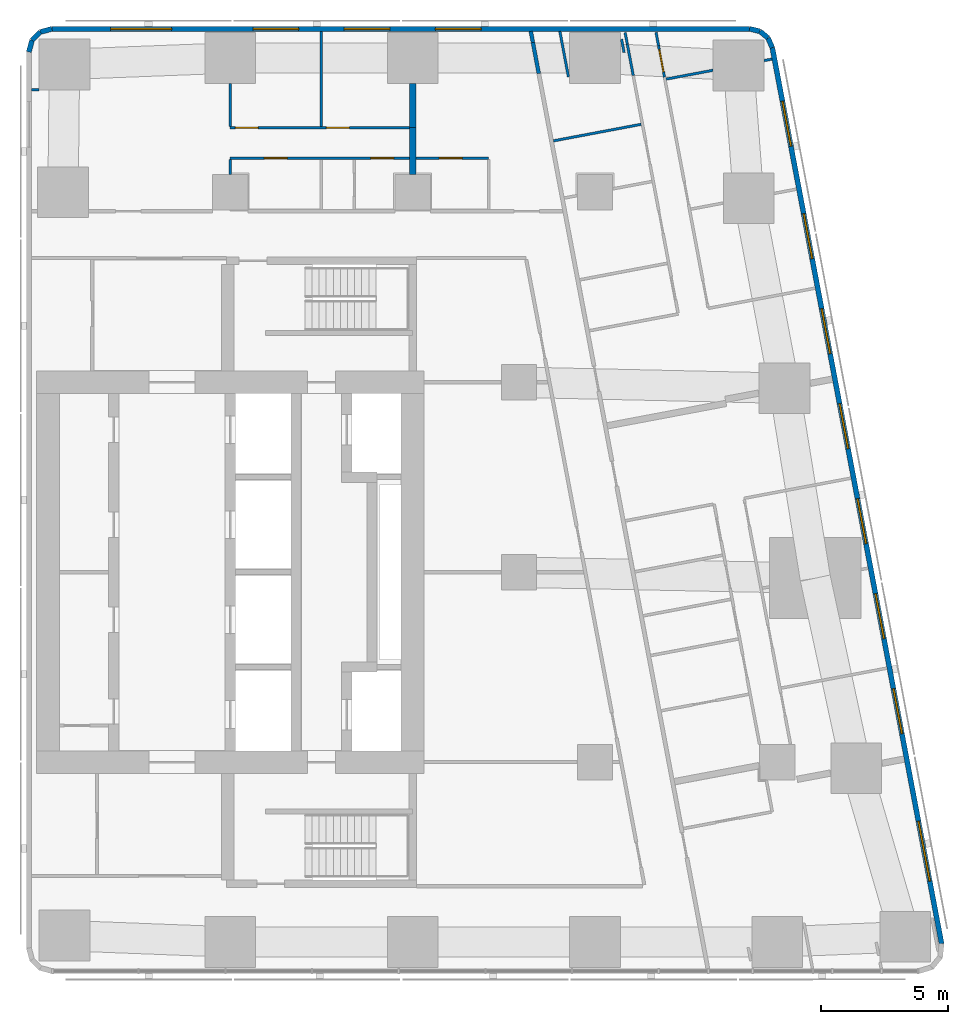
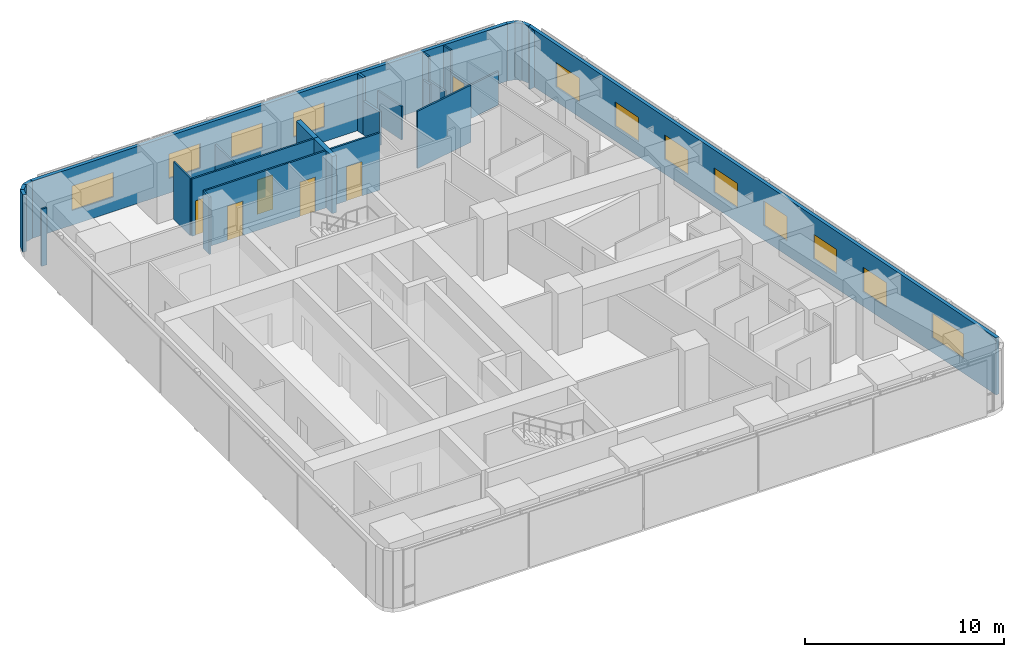
# One storey, part 8 of 11: 28 walls, 12 windows, 6 doors, 18 openings.
"""IFC4 building model written with IfcOpenShell, lengths in metres."""

from ifc_helpers import new_model, si_unit, direction, frame, frame_2d, origin, place, context, subcontext, project, spatial, rectangle, extrude, material, layer, layer_set, type_object, element, fill, save


model = new_model("IFC4")

# Units and contexts
model_context = context("Model", 3, precision=1e-05, world=origin(), true_north=direction((0.0, 1.0)))
body_context = subcontext(model_context, "Body", "Model", "MODEL_VIEW")
ifc_project = project(units=[si_unit("LENGTHUNIT", "METRE"), si_unit("AREAUNIT", "SQUARE_METRE"), si_unit("VOLUMEUNIT", "CUBIC_METRE"), si_unit("PLANEANGLEUNIT", "RADIAN"), si_unit("MASSUNIT", "GRAM", prefix="KILO")], contexts=[model_context])

# Site, building, storey
site_placement = place(None, origin())
site = spatial("IfcSite", under=ifc_project, at=site_placement, CompositionType="ELEMENT")
building_placement = place(site_placement, origin())
building = spatial("IfcBuilding", under=site, at=building_placement, Name="Sheger Commons Tower", CompositionType="ELEMENT")
storey_placement = place(building_placement, frame((0.0, 0.0, 277.85009765625)))
storey = spatial("IfcBuildingStorey", under=building, at=storey_placement, Name="L71", CompositionType="ELEMENT", Elevation=277.85009765625)

# Walls
ifc_material_1 = material(Name="Hollow concrete block masonry, skimmed both sides", Category="masonry")
ifc_layer_1 = layer(ifc_material_1, 0.14990234375)
ifc_layer_set_1 = layer_set([ifc_layer_1], Name="CORRIDOR WALL 150")
wall_type_1 = type_object("IfcWallType", Name="CORRIDOR WALL 150", PredefinedType="SOLIDWALL", material=ifc_layer_set_1)
wall_1_placement = place(storey_placement, frame((33.467041015625, 43.85009765625, 0.0), z_axis=(0.0, 0.0, 1.0), x_axis=(0.184886516626, -0.982759877066, 0.0)))
element("IfcWall", 1, at=wall_1_placement, inside=storey, type_object=wall_type_1, Name="Corridor wall L71", PredefinedType="SOLIDWALL", context=body_context, shape_type="SweptSolid", body=[
    extrude(rectangle(XDim=0.443603515625, YDim=0.14990234375, at=frame_2d((0.2216796875, 0.0))), origin(), (0.0, 0.0, 1.0), 3.5),
])
wall_2_placement = place(storey_placement, frame((33.549072265625, 43.4140625, 0.0), z_axis=(0.0, 0.0, 1.0), x_axis=(0.185585816539, -0.982628060204, 0.0)))
element("IfcWall", 2, at=wall_2_placement, inside=storey, type_object=wall_type_1, Name="Corridor wall L71", PredefinedType="SOLIDWALL", context=body_context, shape_type="SweptSolid", body=[
    extrude(rectangle(XDim=1.249755859375, YDim=0.14990234375, at=frame_2d((0.625, 0.0))), origin(), (0.0, 0.0, 1.0), 2.0498046875),
])
ifc_material_2 = material(Name="Dense concrete block masonry, plastered both sides (separating wall between flats)", Category="masonry")
ifc_layer_2 = layer(ifc_material_2, 0.25)
ifc_layer_set_2 = layer_set([ifc_layer_2], Name="DEMISING WALL 250")
wall_type_2 = type_object("IfcWallType", Name="DEMISING WALL 250", PredefinedType="SOLIDWALL", material=ifc_layer_set_2)
wall_3_placement = place(storey_placement, frame((28.800048828125, 40.050048828125, 0.0), z_axis=(0.0, 0.0, 1.0), x_axis=(0.0, 1.0, 0.0)))
element("IfcWall", 3, at=wall_3_placement, inside=storey, type_object=wall_type_2, Name="Demising wall L71", PredefinedType="SOLIDWALL", context=body_context, shape_type="SweptSolid", body=[
    extrude(rectangle(XDim=1.7490234375, YDim=0.25, at=frame_2d((0.87451171875, 0.0))), origin(), (0.0, 0.0, 1.0), 3.5),
])
wall_4_placement = place(storey_placement, frame((28.800048828125, 38.200927734375, 0.0), z_axis=(0.0, 0.0, 1.0), x_axis=(0.0, 1.0, 0.0)))
element("IfcWall", 4, at=wall_4_placement, inside=storey, type_object=wall_type_2, Name="Demising wall L71", PredefinedType="SOLIDWALL", context=body_context, shape_type="SweptSolid", body=[
    extrude(rectangle(XDim=1.84912109375, YDim=0.25, at=frame_2d((0.924560546875, 0.0))), origin(), (0.0, 0.0, 1.0), 3.5),
])

# Wall, openings, windows
ifc_material_3 = material(Name="Rendered concrete block masonry, dark grey", Category="masonry")
ifc_layer_3 = layer(ifc_material_3, 0.199951171875)
ifc_layer_set_3 = layer_set([ifc_layer_3], Name="FACADE WALL 200")
wall_type_3 = type_object("IfcWallType", Name="FACADE WALL 200", PredefinedType="SOLIDWALL", material=ifc_layer_set_3)
wall_5_placement = place(storey_placement, frame((49.68408203125, 7.83203125, 0.0), z_axis=(0.0, 0.0, 1.0), x_axis=(-0.185616669694, 0.982622232565, 0.0)))
wall_5 = element("IfcWall", 5, at=wall_5_placement, inside=storey, type_object=wall_type_3, Name="Facade wall L71", PredefinedType="SOLIDWALL", context=body_context, shape_type="SweptSolid", body=[
    extrude(rectangle(XDim=35.99951171875, YDim=0.199951171875, at=frame_2d((17.999755859375, 0.0))), origin(), (0.0, 0.0, 1.0), 3.5),
])
opening_1_placement = place(wall_5_placement, frame((2.51806640625, 0.0, 0.89990234375)))
opening_1 = element("IfcOpeningElement", 6, at=opening_1_placement, cuts=wall_5, Name="Opening W1", PredefinedType="OPENING", context=body_context, shape_type="SweptSolid", body=[
    extrude(rectangle(XDim=2.39990234375, YDim=1.5, at=frame_2d((1.199951171875, 0.75))), frame((0.0, 0.10986328125, 0.0), z_axis=(0.0, -1.0, 0.0), x_axis=(1.0, 0.0, 0.0)), (0.0, 0.0, 1.0), 0.219970703125),
])
opening_2_placement = place(wall_5_placement, frame((8.444091796875, 0.0, 0.89990234375)))
opening_2 = element("IfcOpeningElement", 7, at=opening_2_placement, cuts=wall_5, Name="Opening W2", PredefinedType="OPENING", context=body_context, shape_type="SweptSolid", body=[
    extrude(rectangle(XDim=1.800048828125, YDim=1.5, at=frame_2d((0.89990234375, 0.75))), frame((0.0, 0.10986328125, 0.0), z_axis=(0.0, -1.0, 0.0), x_axis=(1.0, 0.0, 0.0)), (0.0, 0.0, 1.0), 0.219970703125),
])
opening_3_placement = place(wall_5_placement, frame((12.260986328125, 0.0, 0.89990234375)))
opening_3 = element("IfcOpeningElement", 8, at=opening_3_placement, cuts=wall_5, Name="Opening W2", PredefinedType="OPENING", context=body_context, shape_type="SweptSolid", body=[
    extrude(rectangle(XDim=1.800048828125, YDim=1.5, at=frame_2d((0.89990234375, 0.75))), frame((0.0, 0.10986328125, 0.0), z_axis=(0.0, -1.0, 0.0), x_axis=(1.0, 0.0, 0.0)), (0.0, 0.0, 1.0), 0.219970703125),
])
opening_4_placement = place(wall_5_placement, frame((16.077880859375, 0.0, 0.89990234375)))
opening_4 = element("IfcOpeningElement", 9, at=opening_4_placement, cuts=wall_5, Name="Opening W2", PredefinedType="OPENING", context=body_context, shape_type="SweptSolid", body=[
    extrude(rectangle(XDim=1.800048828125, YDim=1.5, at=frame_2d((0.89990234375, 0.75))), frame((0.0, 0.10986328125, 0.0), z_axis=(0.0, -1.0, 0.0), x_axis=(1.0, 0.0, 0.0)), (0.0, 0.0, 1.0), 0.219970703125),
])
opening_5_placement = place(wall_5_placement, frame((19.89404296875, 0.0, 0.89990234375)))
opening_5 = element("IfcOpeningElement", 10, at=opening_5_placement, cuts=wall_5, Name="Opening W2", PredefinedType="OPENING", context=body_context, shape_type="SweptSolid", body=[
    extrude(rectangle(XDim=1.800048828125, YDim=1.5, at=frame_2d((0.89990234375, 0.75))), frame((0.0, 0.10986328125, 0.0), z_axis=(0.0, -1.0, 0.0), x_axis=(1.0, 0.0, 0.0)), (0.0, 0.0, 1.0), 0.219970703125),
])
opening_6_placement = place(wall_5_placement, frame((23.7099609375, 0.0, 0.89990234375)))
opening_6 = element("IfcOpeningElement", 11, at=opening_6_placement, cuts=wall_5, Name="Opening W2", PredefinedType="OPENING", context=body_context, shape_type="SweptSolid", body=[
    extrude(rectangle(XDim=1.800048828125, YDim=1.5, at=frame_2d((0.89990234375, 0.75))), frame((0.0, 0.10986328125, 0.0), z_axis=(0.0, -1.0, 0.0), x_axis=(1.0, 0.0, 0.0)), (0.0, 0.0, 1.0), 0.219970703125),
])
opening_7_placement = place(wall_5_placement, frame((27.52587890625, 0.0, 0.89990234375)))
opening_7 = element("IfcOpeningElement", 12, at=opening_7_placement, cuts=wall_5, Name="Opening W2", PredefinedType="OPENING", context=body_context, shape_type="SweptSolid", body=[
    extrude(rectangle(XDim=1.800048828125, YDim=1.5, at=frame_2d((0.89990234375, 0.75))), frame((0.0, 0.10986328125, 0.0), z_axis=(0.0, -1.0, 0.0), x_axis=(1.0, 0.0, 0.0)), (0.0, 0.0, 1.0), 0.219970703125),
])
opening_8_placement = place(wall_5_placement, frame((32.0458984375, 0.0, 0.89990234375)))
opening_8 = element("IfcOpeningElement", 13, at=opening_8_placement, cuts=wall_5, Name="Opening W2", PredefinedType="OPENING", context=body_context, shape_type="SweptSolid", body=[
    extrude(rectangle(XDim=1.800048828125, YDim=1.5, at=frame_2d((0.89990234375, 0.75))), frame((0.0, 0.10986328125, 0.0), z_axis=(0.0, -1.0, 0.0), x_axis=(1.0, 0.0, 0.0)), (0.0, 0.0, 1.0), 0.219970703125),
])
ifc_material_4 = material(Name="Black aluminium frame, dark tinted double glazing", Category="aluminium")
window_type_1 = type_object("IfcWindowType", Name="WINDOW W1 2400x1500", PartitioningType="SINGLE_PANEL", PredefinedType="WINDOW", material=ifc_material_4)
window_1_placement = place(opening_1_placement, origin())
window_1 = element("IfcWindow", 14, at=window_1_placement, inside=storey, type_object=window_type_1, Name="Window W1 2400X1500", OverallHeight=1.5, OverallWidth=2.39990234375, PartitioningType="SINGLE_PANEL", PredefinedType="WINDOW", context=body_context, shape_type="SweptSolid", body=[
    extrude(rectangle(XDim=2.39990234375, YDim=1.5, at=frame_2d((1.199951171875, 0.75))), frame((0.0, 0.030029296875, 0.0), z_axis=(0.0, -1.0, 0.0), x_axis=(1.0, 0.0, 0.0)), (0.0, 0.0, 1.0), 0.06005859375),
])
fill(opening_1, window_1)
ifc_material_5 = material(Name="Black aluminium frame, dark tinted double glazing", Category="aluminium")
window_type_2 = type_object("IfcWindowType", Name="WINDOW W2 1800x1500", PartitioningType="SINGLE_PANEL", PredefinedType="WINDOW", material=ifc_material_5)
window_2_placement = place(opening_2_placement, origin())
window_2 = element("IfcWindow", 15, at=window_2_placement, inside=storey, type_object=window_type_2, Name="Window W2 1800X1500", OverallHeight=1.5, OverallWidth=1.800048828125, PartitioningType="SINGLE_PANEL", PredefinedType="WINDOW", context=body_context, shape_type="SweptSolid", body=[
    extrude(rectangle(XDim=1.800048828125, YDim=1.5, at=frame_2d((0.89990234375, 0.75))), frame((0.0, 0.030029296875, 0.0), z_axis=(0.0, -1.0, 0.0), x_axis=(1.0, 0.0, 0.0)), (0.0, 0.0, 1.0), 0.06005859375),
])
fill(opening_2, window_2)
window_3_placement = place(opening_3_placement, origin())
window_3 = element("IfcWindow", 16, at=window_3_placement, inside=storey, type_object=window_type_2, Name="Window W2 1800X1500", OverallHeight=1.5, OverallWidth=1.800048828125, PartitioningType="SINGLE_PANEL", PredefinedType="WINDOW", context=body_context, shape_type="SweptSolid", body=[
    extrude(rectangle(XDim=1.800048828125, YDim=1.5, at=frame_2d((0.89990234375, 0.75))), frame((0.0, 0.030029296875, 0.0), z_axis=(0.0, -1.0, 0.0), x_axis=(1.0, 0.0, 0.0)), (0.0, 0.0, 1.0), 0.06005859375),
])
fill(opening_3, window_3)
window_4_placement = place(opening_4_placement, origin())
window_4 = element("IfcWindow", 17, at=window_4_placement, inside=storey, type_object=window_type_2, Name="Window W2 1800X1500", OverallHeight=1.5, OverallWidth=1.800048828125, PartitioningType="SINGLE_PANEL", PredefinedType="WINDOW", context=body_context, shape_type="SweptSolid", body=[
    extrude(rectangle(XDim=1.800048828125, YDim=1.5, at=frame_2d((0.89990234375, 0.75))), frame((0.0, 0.030029296875, 0.0), z_axis=(0.0, -1.0, 0.0), x_axis=(1.0, 0.0, 0.0)), (0.0, 0.0, 1.0), 0.06005859375),
])
fill(opening_4, window_4)
window_5_placement = place(opening_5_placement, origin())
window_5 = element("IfcWindow", 18, at=window_5_placement, inside=storey, type_object=window_type_2, Name="Window W2 1800X1500", OverallHeight=1.5, OverallWidth=1.800048828125, PartitioningType="SINGLE_PANEL", PredefinedType="WINDOW", context=body_context, shape_type="SweptSolid", body=[
    extrude(rectangle(XDim=1.800048828125, YDim=1.5, at=frame_2d((0.89990234375, 0.75))), frame((0.0, 0.030029296875, 0.0), z_axis=(0.0, -1.0, 0.0), x_axis=(1.0, 0.0, 0.0)), (0.0, 0.0, 1.0), 0.06005859375),
])
fill(opening_5, window_5)
window_6_placement = place(opening_6_placement, origin())
window_6 = element("IfcWindow", 19, at=window_6_placement, inside=storey, type_object=window_type_2, Name="Window W2 1800X1500", OverallHeight=1.5, OverallWidth=1.800048828125, PartitioningType="SINGLE_PANEL", PredefinedType="WINDOW", context=body_context, shape_type="SweptSolid", body=[
    extrude(rectangle(XDim=1.800048828125, YDim=1.5, at=frame_2d((0.89990234375, 0.75))), frame((0.0, 0.030029296875, 0.0), z_axis=(0.0, -1.0, 0.0), x_axis=(1.0, 0.0, 0.0)), (0.0, 0.0, 1.0), 0.06005859375),
])
fill(opening_6, window_6)
window_7_placement = place(opening_7_placement, origin())
window_7 = element("IfcWindow", 20, at=window_7_placement, inside=storey, type_object=window_type_2, Name="Window W2 1800X1500", OverallHeight=1.5, OverallWidth=1.800048828125, PartitioningType="SINGLE_PANEL", PredefinedType="WINDOW", context=body_context, shape_type="SweptSolid", body=[
    extrude(rectangle(XDim=1.800048828125, YDim=1.5, at=frame_2d((0.89990234375, 0.75))), frame((0.0, 0.030029296875, 0.0), z_axis=(0.0, -1.0, 0.0), x_axis=(1.0, 0.0, 0.0)), (0.0, 0.0, 1.0), 0.06005859375),
])
fill(opening_7, window_7)
window_8_placement = place(opening_8_placement, origin())
window_8 = element("IfcWindow", 21, at=window_8_placement, inside=storey, type_object=window_type_2, Name="Window W2 1800X1500", OverallHeight=1.5, OverallWidth=1.800048828125, PartitioningType="SINGLE_PANEL", PredefinedType="WINDOW", context=body_context, shape_type="SweptSolid", body=[
    extrude(rectangle(XDim=1.800048828125, YDim=1.5, at=frame_2d((0.89990234375, 0.75))), frame((0.0, 0.030029296875, 0.0), z_axis=(0.0, -1.0, 0.0), x_axis=(1.0, 0.0, 0.0)), (0.0, 0.0, 1.0), 0.06005859375),
])
fill(opening_8, window_8)

# Walls
wall_6_placement = place(storey_placement, frame((43.001953125, 43.2060546875, 0.0), z_axis=(0.0, 0.0, 1.0), x_axis=(-0.40678170573, 0.913525393124, 0.0)))
element("IfcWall", 22, at=wall_6_placement, inside=storey, type_object=wall_type_3, Name="Facade wall L71", PredefinedType="SOLIDWALL", context=body_context, shape_type="SweptSolid", body=[
    extrude(rectangle(XDim=0.422607421875, YDim=0.199951171875, at=frame_2d((0.21142578125, 0.0))), origin(), (0.0, 0.0, 1.0), 3.5),
])
wall_7_placement = place(storey_placement, frame((42.830078125, 43.592041015625, 0.0), z_axis=(0.0, 0.0, 1.0), x_axis=(-0.771190539797, 0.636604391539, 0.0)))
element("IfcWall", 23, at=wall_7_placement, inside=storey, type_object=wall_type_3, Name="Facade wall L71", PredefinedType="SOLIDWALL", context=body_context, shape_type="SweptSolid", body=[
    extrude(rectangle(XDim=0.409912109375, YDim=0.199951171875, at=frame_2d((0.205078125, 0.0))), origin(), (0.0, 0.0, 1.0), 3.5),
])
wall_8_placement = place(storey_placement, frame((42.513916015625, 43.85302734375, 0.0), z_axis=(0.0, 0.0, 1.0), x_axis=(-0.973288080424, 0.229587265555, 0.0)))
element("IfcWall", 24, at=wall_8_placement, inside=storey, type_object=wall_type_3, Name="Facade wall L71", PredefinedType="SOLIDWALL", context=body_context, shape_type="SweptSolid", body=[
    extrude(rectangle(XDim=0.422119140625, YDim=0.199951171875, at=frame_2d((0.2109375, 0.0))), origin(), (0.0, 0.0, 1.0), 3.5),
])

# Wall, openings, windows
wall_9_placement = place(storey_placement, frame((42.10302734375, 43.949951171875, 0.0), z_axis=(0.0, 0.0, 1.0), x_axis=(-1.0, 0.0, 0.0)))
wall_9 = element("IfcWall", 25, at=wall_9_placement, inside=storey, type_object=wall_type_3, Name="Facade wall L71", PredefinedType="SOLIDWALL", context=body_context, shape_type="SweptSolid", body=[
    extrude(rectangle(XDim=27.5400390625, YDim=0.199951171875, at=frame_2d((13.77001953125, 0.0))), origin(), (0.0, 0.0, 1.0), 3.5),
])
opening_9_placement = place(wall_9_placement, frame((10.60302734375, 0.0, 0.89990234375)))
opening_9 = element("IfcOpeningElement", 26, at=opening_9_placement, cuts=wall_9, Name="Opening W2", PredefinedType="OPENING", context=body_context, shape_type="SweptSolid", body=[
    extrude(rectangle(XDim=1.800048828125, YDim=1.5, at=frame_2d((0.89990234375, 0.75))), frame((0.0, 0.10986328125, 0.0), z_axis=(0.0, -1.0, 0.0), x_axis=(1.0, 0.0, 0.0)), (0.0, 0.0, 1.0), 0.219970703125),
])
opening_10_placement = place(wall_9_placement, frame((14.202880859375, 0.0, 0.89990234375)))
opening_10 = element("IfcOpeningElement", 27, at=opening_10_placement, cuts=wall_9, Name="Opening W2", PredefinedType="OPENING", context=body_context, shape_type="SweptSolid", body=[
    extrude(rectangle(XDim=1.800048828125, YDim=1.5, at=frame_2d((0.89990234375, 0.75))), frame((0.0, 0.10986328125, 0.0), z_axis=(0.0, -1.0, 0.0), x_axis=(1.0, 0.0, 0.0)), (0.0, 0.0, 1.0), 0.219970703125),
])
opening_11_placement = place(wall_9_placement, frame((17.802978515625, 0.0, 0.89990234375)))
opening_11 = element("IfcOpeningElement", 28, at=opening_11_placement, cuts=wall_9, Name="Opening W2", PredefinedType="OPENING", context=body_context, shape_type="SweptSolid", body=[
    extrude(rectangle(XDim=1.800048828125, YDim=1.5, at=frame_2d((0.89990234375, 0.75))), frame((0.0, 0.10986328125, 0.0), z_axis=(0.0, -1.0, 0.0), x_axis=(1.0, 0.0, 0.0)), (0.0, 0.0, 1.0), 0.219970703125),
])
opening_12_placement = place(wall_9_placement, frame((22.822021484375, 0.0, 0.89990234375)))
opening_12 = element("IfcOpeningElement", 29, at=opening_12_placement, cuts=wall_9, Name="Opening W1", PredefinedType="OPENING", context=body_context, shape_type="SweptSolid", body=[
    extrude(rectangle(XDim=2.39990234375, YDim=1.5, at=frame_2d((1.199951171875, 0.75))), frame((0.0, 0.10986328125, 0.0), z_axis=(0.0, -1.0, 0.0), x_axis=(1.0, 0.0, 0.0)), (0.0, 0.0, 1.0), 0.219970703125),
])
window_9_placement = place(opening_12_placement, origin())
window_9 = element("IfcWindow", 30, at=window_9_placement, inside=storey, type_object=window_type_1, Name="Window W1 2400X1500", OverallHeight=1.5, OverallWidth=2.39990234375, PartitioningType="SINGLE_PANEL", PredefinedType="WINDOW", context=body_context, shape_type="SweptSolid", body=[
    extrude(rectangle(XDim=2.39990234375, YDim=1.5, at=frame_2d((1.199951171875, 0.75))), frame((0.0, 0.030029296875, 0.0), z_axis=(0.0, -1.0, 0.0), x_axis=(1.0, 0.0, 0.0)), (0.0, 0.0, 1.0), 0.06005859375),
])
fill(opening_12, window_9)
window_10_placement = place(opening_9_placement, origin())
window_10 = element("IfcWindow", 31, at=window_10_placement, inside=storey, type_object=window_type_2, Name="Window W2 1800X1500", OverallHeight=1.5, OverallWidth=1.800048828125, PartitioningType="SINGLE_PANEL", PredefinedType="WINDOW", context=body_context, shape_type="SweptSolid", body=[
    extrude(rectangle(XDim=1.800048828125, YDim=1.5, at=frame_2d((0.89990234375, 0.75))), frame((0.0, 0.030029296875, 0.0), z_axis=(0.0, -1.0, 0.0), x_axis=(1.0, 0.0, 0.0)), (0.0, 0.0, 1.0), 0.06005859375),
])
fill(opening_9, window_10)
window_11_placement = place(opening_10_placement, origin())
window_11 = element("IfcWindow", 32, at=window_11_placement, inside=storey, type_object=window_type_2, Name="Window W2 1800X1500", OverallHeight=1.5, OverallWidth=1.800048828125, PartitioningType="SINGLE_PANEL", PredefinedType="WINDOW", context=body_context, shape_type="SweptSolid", body=[
    extrude(rectangle(XDim=1.800048828125, YDim=1.5, at=frame_2d((0.89990234375, 0.75))), frame((0.0, 0.030029296875, 0.0), z_axis=(0.0, -1.0, 0.0), x_axis=(1.0, 0.0, 0.0)), (0.0, 0.0, 1.0), 0.06005859375),
])
fill(opening_10, window_11)
window_12_placement = place(opening_11_placement, origin())
window_12 = element("IfcWindow", 33, at=window_12_placement, inside=storey, type_object=window_type_2, Name="Window W2 1800X1500", OverallHeight=1.5, OverallWidth=1.800048828125, PartitioningType="SINGLE_PANEL", PredefinedType="WINDOW", context=body_context, shape_type="SweptSolid", body=[
    extrude(rectangle(XDim=1.800048828125, YDim=1.5, at=frame_2d((0.89990234375, 0.75))), frame((0.0, 0.030029296875, 0.0), z_axis=(0.0, -1.0, 0.0), x_axis=(1.0, 0.0, 0.0)), (0.0, 0.0, 1.0), 0.06005859375),
])
fill(opening_11, window_12)

# Walls
wall_10_placement = place(storey_placement, frame((14.56298828125, 43.949951171875, 0.0), z_axis=(0.0, 0.0, 1.0), x_axis=(-0.965655254015, -0.259826731483, 0.0)))
element("IfcWall", 34, at=wall_10_placement, inside=storey, type_object=wall_type_3, Name="Facade wall L71", PredefinedType="SOLIDWALL", context=body_context, shape_type="SweptSolid", body=[
    extrude(rectangle(XDim=0.477294921875, YDim=0.199951171875, at=frame_2d((0.23876953125, 0.0))), origin(), (0.0, 0.0, 1.0), 3.5),
])
wall_11_placement = place(storey_placement, frame((14.10205078125, 43.825927734375, 0.0), z_axis=(0.0, 0.0, 1.0), x_axis=(-0.707369890659, -0.706843573776, 0.0)))
element("IfcWall", 35, at=wall_11_placement, inside=storey, type_object=wall_type_3, Name="Facade wall L71", PredefinedType="SOLIDWALL", context=body_context, shape_type="SweptSolid", body=[
    extrude(rectangle(XDim=0.4638671875, YDim=0.199951171875, at=frame_2d((0.23193359375, 0.0))), origin(), (0.0, 0.0, 1.0), 3.5),
])
wall_12_placement = place(storey_placement, frame((13.77392578125, 43.498046875, 0.0), z_axis=(0.0, 0.0, 1.0), x_axis=(-0.259826731483, -0.965655254015, 0.0)))
element("IfcWall", 36, at=wall_12_placement, inside=storey, type_object=wall_type_3, Name="Facade wall L71", PredefinedType="SOLIDWALL", context=body_context, shape_type="SweptSolid", body=[
    extrude(rectangle(XDim=0.477294921875, YDim=0.199951171875, at=frame_2d((0.23876953125, 0.0))), origin(), (0.0, 0.0, 1.0), 3.5),
])
ifc_material_6 = material(Name="Gypsum board on steel studs", Category="steel")
ifc_layer_4 = layer(ifc_material_6, 0.10009765625)
ifc_layer_set_4 = layer_set([ifc_layer_4], Name="PARTITION 100")
wall_type_4 = type_object("IfcWallType", Name="PARTITION 100", PredefinedType="PARTITIONING", material=ifc_layer_set_4)
wall_13_placement = place(storey_placement, frame((34.951904296875, 42.054931640625, 0.0), z_axis=(0.0, 0.0, 1.0), x_axis=(-0.185490642006, 0.98264603074, 0.0)))
element("IfcWall", 37, at=wall_13_placement, inside=storey, type_object=wall_type_4, Name="Partition L71", PredefinedType="PARTITIONING", context=body_context, shape_type="SweptSolid", body=[
    extrude(rectangle(XDim=1.826904296875, YDim=0.10009765625, at=frame_2d((0.91357421875, 0.0))), origin(), (0.0, 0.0, 1.0), 2.0498046875),
])
wall_14_placement = place(storey_placement, frame((37.049072265625, 43.5390625, 0.0), z_axis=(0.0, 0.0, 1.0), x_axis=(0.186119495745, -0.982527115811, 0.0)))
element("IfcWall", 38, at=wall_14_placement, inside=storey, type_object=wall_type_4, Name="Partition L71", PredefinedType="PARTITIONING", context=body_context, shape_type="SweptSolid", body=[
    extrude(rectangle(XDim=0.53125, YDim=0.10009765625, at=frame_2d((0.265625, 0.0))), origin(), (0.0, 0.0, 1.0), 2.0498046875),
])
wall_15_placement = place(storey_placement, frame((38.409912109375, 43.81103515625, 0.0), z_axis=(0.0, 0.0, 1.0), x_axis=(0.185903499302, -0.982568007289, 0.0)))
element("IfcWall", 39, at=wall_15_placement, inside=storey, type_object=wall_type_4, Name="Partition L71", PredefinedType="PARTITIONING", context=body_context, shape_type="SweptSolid", body=[
    extrude(rectangle(XDim=0.538330078125, YDim=0.10009765625, at=frame_2d((0.26904296875, 0.0))), origin(), (0.0, 0.0, 1.0), 3.5),
])

# Wall, opening, door
wall_16_placement = place(storey_placement, frame((38.510009765625, 43.281982421875, 0.0), z_axis=(0.0, 0.0, 1.0), x_axis=(0.185775287495, -0.982592256511, 0.0)))
wall_16 = element("IfcWall", 40, at=wall_16_placement, inside=storey, type_object=wall_type_4, Name="Partition L71", PredefinedType="PARTITIONING", context=body_context, shape_type="SweptSolid", body=[
    extrude(rectangle(XDim=1.259033203125, YDim=0.10009765625, at=frame_2d((0.62939453125, 0.0))), origin(), (0.0, 0.0, 1.0), 2.0498046875),
])
opening_13_placement = place(wall_16_placement, frame((0.14990234375, 0.0, 0.0)))
opening_13 = element("IfcOpeningElement", 41, at=opening_13_placement, cuts=wall_16, Name="Opening D11", PredefinedType="OPENING", context=body_context, shape_type="SweptSolid", body=[
    extrude(rectangle(XDim=0.89990234375, YDim=2.0, at=frame_2d((0.449951171875, 1.0))), frame((0.0, 0.06005859375, 0.0), z_axis=(0.0, -1.0, 0.0), x_axis=(1.0, 0.0, 0.0)), (0.0, 0.0, 1.0), 0.1201171875),
])
ifc_material_7 = material(Name="Timber door set", Category="wood")
door_type_1 = type_object("IfcDoorType", Name="INTERNAL DOOR 900x2000", OperationType="NOTDEFINED", PredefinedType="DOOR", material=ifc_material_7)
door_1_placement = place(opening_13_placement, origin())
door_1 = element("IfcDoor", 42, at=door_1_placement, inside=storey, type_object=door_type_1, Name="Dressing room door", OperationType="SINGLE_SWING_LEFT", OverallHeight=2.0, OverallWidth=0.89990234375, PredefinedType="DOOR", context=body_context, shape_type="SweptSolid", body=[
    extrude(rectangle(XDim=0.89990234375, YDim=2.0, at=frame_2d((0.449951171875, 1.0))), frame((0.0, 0.02490234375, 0.0), z_axis=(0.0, -1.0, 0.0), x_axis=(1.0, 0.0, 0.0)), (0.0, 0.0, 1.0), 0.050048828125),
])
fill(opening_13, door_1)

# Walls
wall_17_placement = place(storey_placement, frame((37.18994140625, 43.802978515625, 0.0), z_axis=(0.0, 0.0, 1.0), x_axis=(0.18479566844, -0.982776963978, 0.0)))
element("IfcWall", 43, at=wall_17_placement, inside=storey, type_object=wall_type_4, Name="Partition L71", PredefinedType="PARTITIONING", context=body_context, shape_type="SweptSolid", body=[
    extrude(rectangle(XDim=0.465087890625, YDim=0.10009765625, at=frame_2d((0.232421875, 0.0))), origin(), (0.0, 0.0, 1.0), 3.5),
])
wall_18_placement = place(storey_placement, frame((37.27587890625, 43.345947265625, 0.0), z_axis=(0.0, 0.0, 1.0), x_axis=(0.185962504646, -0.982556841544, 0.0)))
element("IfcWall", 44, at=wall_18_placement, inside=storey, type_object=wall_type_4, Name="Partition L71", PredefinedType="PARTITIONING", context=body_context, shape_type="SweptSolid", body=[
    extrude(rectangle(XDim=1.259033203125, YDim=0.10009765625, at=frame_2d((0.62939453125, 0.0))), origin(), (0.0, 0.0, 1.0), 2.0498046875),
])
wall_19_placement = place(storey_placement, frame((42.985107421875, 42.7548828125, 0.0), z_axis=(0.0, 0.0, 1.0), x_axis=(-0.98281924824, -0.184570651215, 0.0)))
element("IfcWall", 45, at=wall_19_placement, inside=storey, type_object=wall_type_4, Name="Partition L71", PredefinedType="PARTITIONING", context=body_context, shape_type="SweptSolid", body=[
    extrude(rectangle(XDim=0.3134765625, YDim=0.10009765625, at=frame_2d((0.15673828125, 0.0))), origin(), (0.0, 0.0, 1.0), 3.5),
])
wall_20_placement = place(storey_placement, frame((40.656982421875, 42.31494140625, 0.0), z_axis=(0.0, 0.0, 1.0), x_axis=(-0.982640672055, -0.185519027661, 0.0)))
element("IfcWall", 46, at=wall_20_placement, inside=storey, type_object=wall_type_4, Name="Partition L71", PredefinedType="PARTITIONING", context=body_context, shape_type="SweptSolid", body=[
    extrude(rectangle(XDim=1.880615234375, YDim=0.10009765625, at=frame_2d((0.9404296875, 0.0))), origin(), (0.0, 0.0, 1.0), 2.0498046875),
])
wall_21_placement = place(storey_placement, frame((37.822998046875, 40.181884765625, 0.0), z_axis=(0.0, 0.0, 1.0), x_axis=(-0.98263926043, -0.185526504472, 0.0)))
element("IfcWall", 47, at=wall_21_placement, inside=storey, type_object=wall_type_4, Name="Partition L71", PredefinedType="PARTITIONING", context=body_context, shape_type="SweptSolid", body=[
    extrude(rectangle(XDim=3.524169921875, YDim=0.10009765625, at=frame_2d((1.76220703125, 0.0))), origin(), (0.0, 0.0, 1.0), 3.5),
])
wall_22_placement = place(storey_placement, frame((14.053955078125, 41.5458984375, 0.0), z_axis=(0.0, 0.0, 1.0), x_axis=(-1.0, 0.0, 0.0)))
element("IfcWall", 48, at=wall_22_placement, inside=storey, type_object=wall_type_4, Name="Partition L71", PredefinedType="PARTITIONING", context=body_context, shape_type="SweptSolid", body=[
    extrude(rectangle(XDim=0.303955078125, YDim=0.10009765625, at=frame_2d((0.15185546875, 0.0))), origin(), (0.0, 0.0, 1.0), 3.5),
])

# Wall, openings, doors
wall_23_placement = place(storey_placement, frame((21.60009765625, 40.050048828125, 0.0), z_axis=(0.0, 0.0, 1.0), x_axis=(1.0, 0.0, 0.0)))
wall_23 = element("IfcWall", 49, at=wall_23_placement, inside=storey, type_object=wall_type_4, Name="Partition L71", PredefinedType="PARTITIONING", context=body_context, shape_type="SweptSolid", body=[
    extrude(rectangle(XDim=7.074951171875, YDim=0.10009765625, at=frame_2d((3.53759765625, 0.0))), origin(), (0.0, 0.0, 1.0), 3.5),
])
opening_14_placement = place(wall_23_placement, frame((0.199951171875, 0.0, 0.0)))
opening_14 = element("IfcOpeningElement", 50, at=opening_14_placement, cuts=wall_23, Name="Opening D2", PredefinedType="OPENING", context=body_context, shape_type="SweptSolid", body=[
    extrude(rectangle(XDim=0.89990234375, YDim=2.10009765625, at=frame_2d((0.449951171875, 1.050048828125))), frame((0.0, 0.06005859375, 0.0), z_axis=(0.0, -1.0, 0.0), x_axis=(1.0, 0.0, 0.0)), (0.0, 0.0, 1.0), 0.1201171875),
])
opening_15_placement = place(wall_23_placement, frame((3.800048828125, 0.0, 0.0)))
opening_15 = element("IfcOpeningElement", 51, at=opening_15_placement, cuts=wall_23, Name="Opening D2", PredefinedType="OPENING", context=body_context, shape_type="SweptSolid", body=[
    extrude(rectangle(XDim=0.89990234375, YDim=2.10009765625, at=frame_2d((0.449951171875, 1.050048828125))), frame((0.0, 0.06005859375, 0.0), z_axis=(0.0, -1.0, 0.0), x_axis=(1.0, 0.0, 0.0)), (0.0, 0.0, 1.0), 0.1201171875),
])
ifc_material_8 = material(Name="Timber door set", Category="wood")
door_type_2 = type_object("IfcDoorType", Name="INTERNAL DOOR 900x2100", OperationType="NOTDEFINED", PredefinedType="DOOR", material=ifc_material_8)
door_2_placement = place(opening_14_placement, origin())
door_2 = element("IfcDoor", 52, at=door_2_placement, inside=storey, type_object=door_type_2, Name="Main bedroom door", OperationType="SINGLE_SWING_LEFT", OverallHeight=2.10009765625, OverallWidth=0.89990234375, PredefinedType="DOOR", context=body_context, shape_type="SweptSolid", body=[
    extrude(rectangle(XDim=0.89990234375, YDim=2.10009765625, at=frame_2d((0.449951171875, 1.050048828125))), frame((0.0, 0.02490234375, 0.0), z_axis=(0.0, -1.0, 0.0), x_axis=(1.0, 0.0, 0.0)), (0.0, 0.0, 1.0), 0.050048828125),
])
fill(opening_14, door_2)
door_3_placement = place(opening_15_placement, origin())
door_3 = element("IfcDoor", 53, at=door_3_placement, inside=storey, type_object=door_type_2, Name="Bedroom 2 door", OperationType="SINGLE_SWING_LEFT", OverallHeight=2.10009765625, OverallWidth=0.89990234375, PredefinedType="DOOR", context=body_context, shape_type="SweptSolid", body=[
    extrude(rectangle(XDim=0.89990234375, YDim=2.10009765625, at=frame_2d((0.449951171875, 1.050048828125))), frame((0.0, 0.02490234375, 0.0), z_axis=(0.0, -1.0, 0.0), x_axis=(1.0, 0.0, 0.0)), (0.0, 0.0, 1.0), 0.050048828125),
])
fill(opening_15, door_3)

wall_24_placement = place(storey_placement, frame((21.60009765625, 38.85009765625, 0.0), z_axis=(0.0, 0.0, 1.0), x_axis=(1.0, 0.0, 0.0)))
wall_24 = element("IfcWall", 54, at=wall_24_placement, inside=storey, type_object=wall_type_4, Name="Partition L71", PredefinedType="PARTITIONING", context=body_context, shape_type="SweptSolid", body=[
    extrude(rectangle(XDim=7.074951171875, YDim=0.10009765625, at=frame_2d((3.53759765625, 0.0))), origin(), (0.0, 0.0, 1.0), 3.5),
])
opening_16_placement = place(wall_24_placement, frame((1.35009765625, 0.0, 0.0)))
opening_16 = element("IfcOpeningElement", 55, at=opening_16_placement, cuts=wall_24, Name="Opening D2", PredefinedType="OPENING", context=body_context, shape_type="SweptSolid", body=[
    extrude(rectangle(XDim=0.89990234375, YDim=2.10009765625, at=frame_2d((0.449951171875, 1.050048828125))), frame((0.0, 0.06005859375, 0.0), z_axis=(0.0, -1.0, 0.0), x_axis=(1.0, 0.0, 0.0)), (0.0, 0.0, 1.0), 0.1201171875),
])
opening_17_placement = place(wall_24_placement, frame((5.550048828125, 0.0, 0.0)))
opening_17 = element("IfcOpeningElement", 56, at=opening_17_placement, cuts=wall_24, Name="Opening D2", PredefinedType="OPENING", context=body_context, shape_type="SweptSolid", body=[
    extrude(rectangle(XDim=0.89990234375, YDim=2.10009765625, at=frame_2d((0.449951171875, 1.050048828125))), frame((0.0, 0.06005859375, 0.0), z_axis=(0.0, -1.0, 0.0), x_axis=(1.0, 0.0, 0.0)), (0.0, 0.0, 1.0), 0.1201171875),
])
door_4_placement = place(opening_16_placement, origin())
door_4 = element("IfcDoor", 57, at=door_4_placement, inside=storey, type_object=door_type_2, Name="Bathroom door", OperationType="SINGLE_SWING_RIGHT", OverallHeight=2.10009765625, OverallWidth=0.89990234375, PredefinedType="DOOR", context=body_context, shape_type="SweptSolid", body=[
    extrude(rectangle(XDim=0.89990234375, YDim=2.10009765625, at=frame_2d((0.449951171875, 1.050048828125))), frame((0.0, 0.02490234375, 0.0), z_axis=(0.0, -1.0, 0.0), x_axis=(1.0, 0.0, 0.0)), (0.0, 0.0, 1.0), 0.050048828125),
])
fill(opening_16, door_4)
door_5_placement = place(opening_17_placement, origin())
door_5 = element("IfcDoor", 58, at=door_5_placement, inside=storey, type_object=door_type_2, Name="Shower room door", OperationType="SINGLE_SWING_LEFT", OverallHeight=2.10009765625, OverallWidth=0.89990234375, PredefinedType="DOOR", context=body_context, shape_type="SweptSolid", body=[
    extrude(rectangle(XDim=0.89990234375, YDim=2.10009765625, at=frame_2d((0.449951171875, 1.050048828125))), frame((0.0, 0.02490234375, 0.0), z_axis=(0.0, -1.0, 0.0), x_axis=(1.0, 0.0, 0.0)), (0.0, 0.0, 1.0), 0.050048828125),
])
fill(opening_17, door_5)

# Walls
wall_25_placement = place(storey_placement, frame((21.60009765625, 40.10009765625, 0.0), z_axis=(0.0, 0.0, 1.0), x_axis=(0.0, 1.0, 0.0)))
element("IfcWall", 59, at=wall_25_placement, inside=storey, type_object=wall_type_4, Name="Partition L71", PredefinedType="PARTITIONING", context=body_context, shape_type="SweptSolid", body=[
    extrude(rectangle(XDim=1.698974609375, YDim=0.10009765625, at=frame_2d((0.849609375, 0.0))), origin(), (0.0, 0.0, 1.0), 3.5),
])
wall_26_placement = place(storey_placement, frame((25.199951171875, 40.10009765625, 0.0), z_axis=(0.0, 0.0, 1.0), x_axis=(0.0, 1.0, 0.0)))
element("IfcWall", 60, at=wall_26_placement, inside=storey, type_object=wall_type_4, Name="Partition L71", PredefinedType="PARTITIONING", context=body_context, shape_type="SweptSolid", body=[
    extrude(rectangle(XDim=3.75, YDim=0.10009765625, at=frame_2d((1.875, 0.0))), origin(), (0.0, 0.0, 1.0), 2.0498046875),
])
wall_27_placement = place(storey_placement, frame((21.60009765625, 38.200927734375, 0.0), z_axis=(0.0, 0.0, 1.0), x_axis=(0.0, 1.0, 0.0)))
element("IfcWall", 61, at=wall_27_placement, inside=storey, type_object=wall_type_4, Name="Partition L71", PredefinedType="PARTITIONING", context=body_context, shape_type="SweptSolid", body=[
    extrude(rectangle(XDim=0.59912109375, YDim=0.10009765625, at=frame_2d((0.299560546875, 0.0))), origin(), (0.0, 0.0, 1.0), 3.5),
])

# Wall, opening, door
wall_28_placement = place(storey_placement, frame((28.925048828125, 38.85009765625, 0.0), z_axis=(0.0, 0.0, 1.0), x_axis=(1.0, 0.0, 0.0)))
wall_28 = element("IfcWall", 62, at=wall_28_placement, inside=storey, type_object=wall_type_4, Name="Partition L71", PredefinedType="PARTITIONING", context=body_context, shape_type="SweptSolid", body=[
    extrude(rectangle(XDim=2.87890625, YDim=0.10009765625, at=frame_2d((1.439453125, 0.0))), origin(), (0.0, 0.0, 1.0), 3.5),
])
opening_18_placement = place(wall_28_placement, frame((0.925048828125, 0.0, 0.0)))
opening_18 = element("IfcOpeningElement", 63, at=opening_18_placement, cuts=wall_28, Name="Opening D2", PredefinedType="OPENING", context=body_context, shape_type="SweptSolid", body=[
    extrude(rectangle(XDim=0.89990234375, YDim=2.10009765625, at=frame_2d((0.449951171875, 1.050048828125))), frame((0.0, 0.06005859375, 0.0), z_axis=(0.0, -1.0, 0.0), x_axis=(1.0, 0.0, 0.0)), (0.0, 0.0, 1.0), 0.1201171875),
])
door_6_placement = place(opening_18_placement, origin())
door_6 = element("IfcDoor", 64, at=door_6_placement, inside=storey, type_object=door_type_2, Name="Shower room door", OperationType="SINGLE_SWING_RIGHT", OverallHeight=2.10009765625, OverallWidth=0.89990234375, PredefinedType="DOOR", context=body_context, shape_type="SweptSolid", body=[
    extrude(rectangle(XDim=0.89990234375, YDim=2.10009765625, at=frame_2d((0.449951171875, 1.050048828125))), frame((0.0, 0.02490234375, 0.0), z_axis=(0.0, -1.0, 0.0), x_axis=(1.0, 0.0, 0.0)), (0.0, 0.0, 1.0), 0.050048828125),
])
fill(opening_18, door_6)

save(model, "model.ifc")
